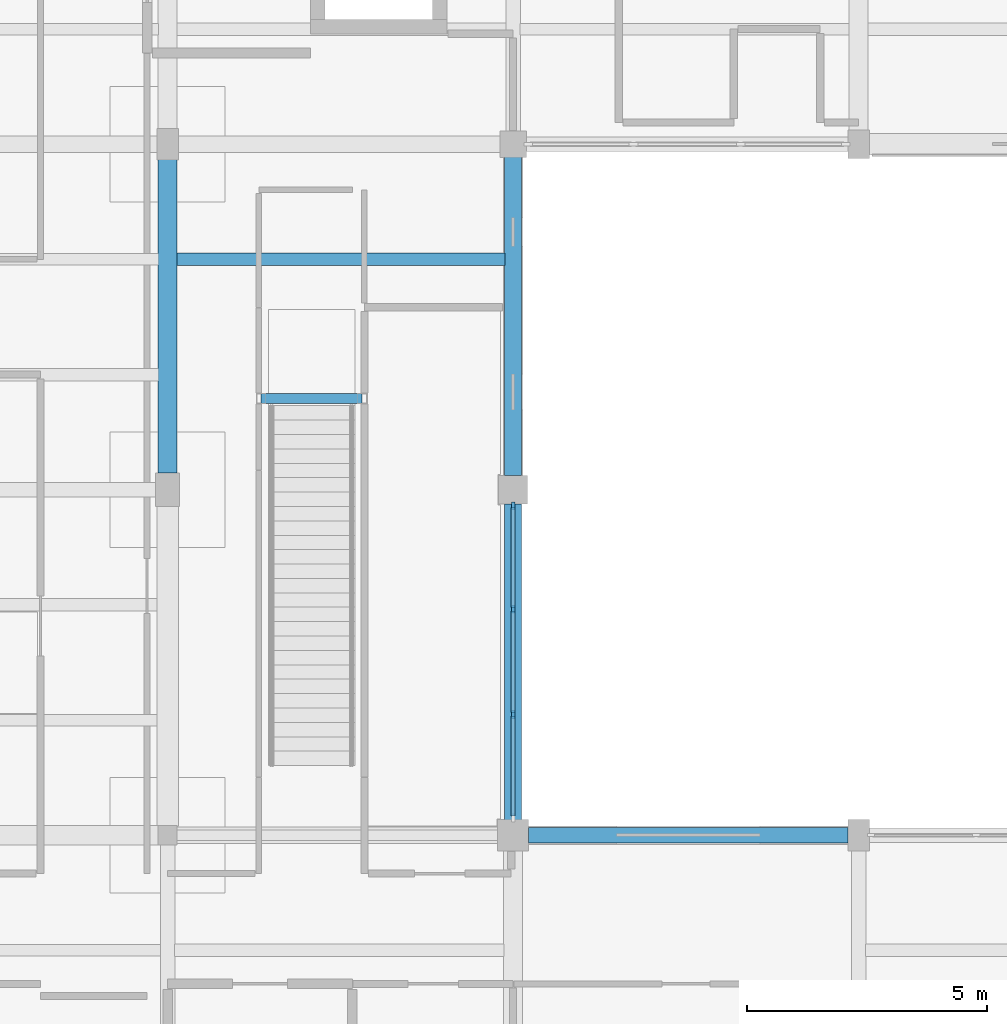
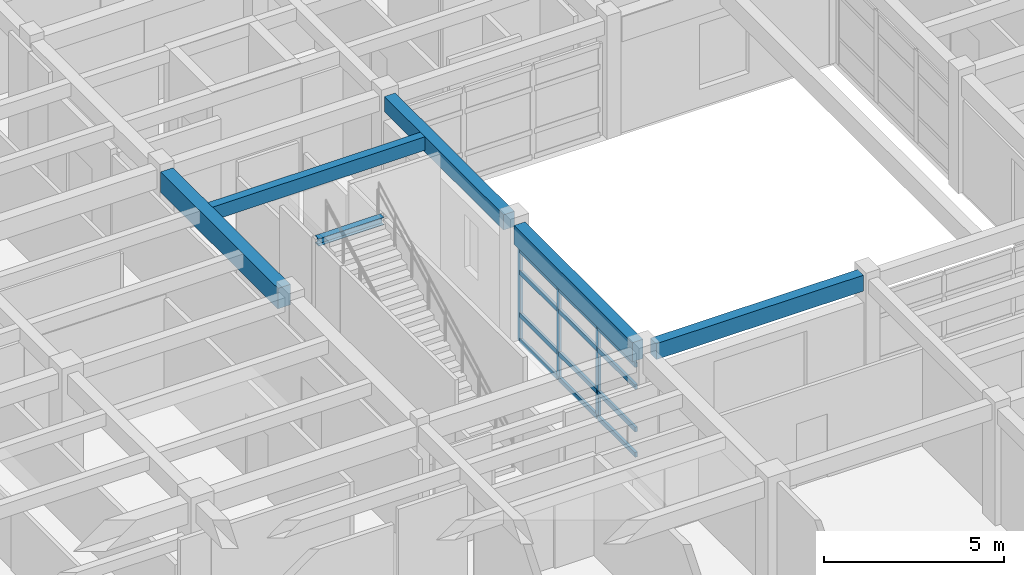
# One storey, part 36 of 110: 15 members, 6 beams, 1 element without a shape of its own.
"""IFC4 building model written with IfcOpenShell, lengths in metres."""

from ifc_helpers import new_model, si_unit, direction, frame, origin, origin_2d, place, context, subcontext, project, spatial, rectangle, i_section, extrude, material, material_profile, profile_set, type_object, element, aggregate, save


model = new_model("IFC4")

# Units and contexts
model_context = context("Model", 3, precision=1e-05, world=origin(), true_north=direction((0.0, 1.0)))
body_context = subcontext(model_context, "Body", "Model", "MODEL_VIEW")
ifc_project = project(units=[si_unit("LENGTHUNIT", "METRE"), si_unit("AREAUNIT", "SQUARE_METRE"), si_unit("VOLUMEUNIT", "CUBIC_METRE"), si_unit("PLANEANGLEUNIT", "RADIAN"), si_unit("MASSUNIT", "GRAM", prefix="KILO")], contexts=[model_context])

# Site, building, storey
site_placement = place(None, origin())
site = spatial("IfcSite", under=ifc_project, at=site_placement, CompositionType="ELEMENT")
building_placement = place(site_placement, origin())
building = spatial("IfcBuilding", under=site, at=building_placement, Name="Steenspoor Specialist Clinic", CompositionType="ELEMENT")
storey_placement = place(building_placement, frame((0.0, 0.0, 4.800048828125)))
storey = spatial("IfcBuildingStorey", under=building, at=storey_placement, Name="L01", CompositionType="ELEMENT", Elevation=4.800048828125)

# Beams
ifc_material_1 = material(Name="Concrete C35/45", Category="concrete")
ifc_material_profile_1 = material_profile(ifc_material_1, rectangle(XDim=0.35009765625, YDim=0.52001953125, at=origin_2d()), Name="RC-BM-350X520")
ifc_profile_set_1 = profile_set([ifc_material_profile_1], Name="Concrete C35/45")
beam_type_1 = type_object("IfcBeamType", Name="BM-RC-350X520", PredefinedType="BEAM", material=ifc_profile_set_1)
beam_1_placement = place(storey_placement, frame((95.60009765625, 87.044921875, 3.68994140625), z_axis=(0.0, 1.0, 0.0), x_axis=(-1.0, 0.0, 0.0)))
element("IfcBeam", 1, at=beam_1_placement, inside=storey, type_object=beam_type_1, Name="BM-V4-L01-Y0554", PredefinedType="BEAM", context=body_context, shape_type="SweptSolid", body=[
    extrude(rectangle(XDim=0.35009765625, YDim=0.52001953125, at=origin_2d()), origin(), (0.0, 0.0, 1.0), 6.635009765625),
])
ifc_material_profile_2 = material_profile(ifc_material_1, rectangle(XDim=0.35009765625, YDim=0.64990234375, at=origin_2d()), Name="RC-BM-350X650")
ifc_profile_set_2 = profile_set([ifc_material_profile_2], Name="Concrete C35/45")
beam_type_2 = type_object("IfcBeamType", Name="BM-RC-350X650", PredefinedType="BEAM", material=ifc_profile_set_2)
beam_2_placement = place(storey_placement, frame((95.60009765625, 79.8701171875, 3.625), z_axis=(0.0, 1.0, 0.0), x_axis=(-1.0, 0.0, 0.0)))
element("IfcBeam", 2, at=beam_2_placement, inside=storey, type_object=beam_type_2, Name="BM-V4-L01-Y0553", PredefinedType="BEAM", context=body_context, shape_type="SweptSolid", body=[
    extrude(rectangle(XDim=0.35009765625, YDim=0.64990234375, at=origin_2d()), origin(), (0.0, 0.0, 1.0), 6.5849609375),
])
ifc_material_profile_3 = material_profile(ifc_material_1, rectangle(XDim=0.39990234375, YDim=0.699951171875, at=origin_2d()), Name="RC-BM-400X700")
ifc_profile_set_3 = profile_set([ifc_material_profile_3], Name="Concrete C35/45")
beam_type_3 = type_object("IfcBeamType", Name="BM-RC-400X700", PredefinedType="BEAM", material=ifc_profile_set_3)
beam_3_placement = place(storey_placement, frame((88.39990234375, 87.094970703125, 3.599853515625), z_axis=(0.0, 1.0, 0.0), x_axis=(-1.0, 0.0, 0.0)))
element("IfcBeam", 3, at=beam_3_placement, inside=storey, type_object=beam_type_3, Name="BM-V4-L01-Y0549", PredefinedType="BEAM", context=body_context, shape_type="SweptSolid", body=[
    extrude(rectangle(XDim=0.39990234375, YDim=0.699951171875, at=origin_2d()), origin(), (0.0, 0.0, 1.0), 6.534912109375),
])
ifc_material_2 = material(Name="Steel A992 Grade 50", Category="steel")
ifc_material_profile_4 = material_profile(ifc_material_2, i_section(OverallWidth=0.202880859375, OverallDepth=0.251953125, WebThickness=0.008056640625, FlangeThickness=0.013427734375, at=origin_2d()), Name="W250X58")
ifc_profile_set_4 = profile_set([ifc_material_profile_4], Name="Steel A992 Grade 50")
beam_type_4 = type_object("IfcBeamType", Name="BM-ST-W250X58", PredefinedType="JOIST", material=ifc_profile_set_4)
beam_4_placement = place(storey_placement, frame((90.35009765625, 88.64990234375, 3.869873046875), z_axis=(1.0, 0.0, 0.0), x_axis=(0.0, 1.0, 0.0)))
element("IfcBeam", 4, at=beam_4_placement, inside=storey, type_object=beam_type_4, Name="Feature Stair Landing Bearer ST-F03", PredefinedType="JOIST", context=body_context, shape_type="SweptSolid", body=[
    extrude(i_section(OverallWidth=0.202880859375, OverallDepth=0.251953125, WebThickness=0.008056640625, FlangeThickness=0.013427734375, at=origin_2d()), origin(), (0.0, 0.0, 1.0), 2.099853515625),
])

# Curtain wall, members
ifc_material_3 = material(Name="Thermally broken aluminium and low-emissivity glass", Category="aluminium")
curtain_wall_type = type_object("IfcCurtainWallType", Name="CW-L00-240X415", PredefinedType="USERDEFINED", material=ifc_material_3)
curtain_wall_placement = place(storey_placement, origin())
curtain_wall = element("IfcCurtainWall", 5, at=curtain_wall_placement, inside=storey, type_object=curtain_wall_type, Name="Unitised Curtain Wall CW-V4-L01-080", ObjectType="UNITISED GLAZING", PredefinedType="USERDEFINED")
ifc_material_4 = material(Name="Thermally broken aluminium 6063-T6", Category="aluminium")
ifc_material_profile_5 = material_profile(ifc_material_4, rectangle(XDim=0.070068359375, YDim=0.1650390625, at=origin_2d()), Name="CWM-70X165")
ifc_profile_set_5 = profile_set([ifc_material_profile_5], Name="Thermally broken aluminium 6063-T6")
member_type_1 = type_object("IfcMemberType", Name="CW-MULL-70X165", PredefinedType="MULLION", material=ifc_profile_set_5)
member_1_placement = place(storey_placement, frame((95.60009765625, 86.4150390625, 0.0), z_axis=(0.0, 0.0, 1.0), x_axis=(1.0, 0.0, 0.0)))
member_1 = element("IfcMember", 6, at=member_1_placement, type_object=member_type_1, Name="CW-08 mullion 1", PredefinedType="MULLION", context=body_context, shape_type="SweptSolid", body=[
    extrude(rectangle(XDim=0.070068359375, YDim=0.1650390625, at=origin_2d()), origin(), (0.0, 0.0, 1.0), 3.1298828125),
])
member_2_placement = place(storey_placement, frame((95.60009765625, 84.25830078125, 0.0), z_axis=(0.0, 0.0, 1.0), x_axis=(1.0, 0.0, 0.0)))
member_2 = element("IfcMember", 7, at=member_2_placement, type_object=member_type_1, Name="CW-08 mullion 2", PredefinedType="MULLION", context=body_context, shape_type="SweptSolid", body=[
    extrude(rectangle(XDim=0.070068359375, YDim=0.1650390625, at=origin_2d()), origin(), (0.0, 0.0, 1.0), 3.1298828125),
])
member_3_placement = place(storey_placement, frame((95.60009765625, 82.066650390625, 0.0), z_axis=(0.0, 0.0, 1.0), x_axis=(1.0, 0.0, 0.0)))
member_3 = element("IfcMember", 8, at=member_3_placement, type_object=member_type_1, Name="CW-08 mullion 3", PredefinedType="MULLION", context=body_context, shape_type="SweptSolid", body=[
    extrude(rectangle(XDim=0.070068359375, YDim=0.1650390625, at=origin_2d()), origin(), (0.0, 0.0, 1.0), 3.1298828125),
])
ifc_material_profile_6 = material_profile(ifc_material_4, rectangle(XDim=0.080078125, YDim=0.159912109375, at=origin_2d()), Name="CWT-80X160")
ifc_profile_set_6 = profile_set([ifc_material_profile_6], Name="Thermally broken aluminium 6063-T6")
member_type_2 = type_object("IfcMemberType", Name="CW-TRAN-80X160", PredefinedType="USERDEFINED", material=ifc_profile_set_6)
member_4_placement = place(storey_placement, frame((95.60009765625, 86.3798828125, 0.0400390625), z_axis=(0.0, -1.0, 0.0), x_axis=(1.0, 0.0, 0.0)))
member_4 = element("IfcMember", 9, at=member_4_placement, type_object=member_type_2, Name="CW-08 transom 1.1", ObjectType="TRANSOM", PredefinedType="USERDEFINED", context=body_context, shape_type="SweptSolid", body=[
    extrude(rectangle(XDim=0.080078125, YDim=0.159912109375, at=origin_2d()), origin(), (0.0, 0.0, 1.0), 2.086669921875),
])
member_5_placement = place(storey_placement, frame((95.60009765625, 86.3798828125, 0.89990234375), z_axis=(0.0, -1.0, 0.0), x_axis=(1.0, 0.0, 0.0)))
member_5 = element("IfcMember", 10, at=member_5_placement, type_object=member_type_2, Name="CW-08 transom 1.2", ObjectType="TRANSOM", PredefinedType="USERDEFINED", context=body_context, shape_type="SweptSolid", body=[
    extrude(rectangle(XDim=0.080078125, YDim=0.159912109375, at=origin_2d()), origin(), (0.0, 0.0, 1.0), 2.086669921875),
])
member_6_placement = place(storey_placement, frame((95.60009765625, 86.3798828125, 2.349853515625), z_axis=(0.0, -1.0, 0.0), x_axis=(1.0, 0.0, 0.0)))
member_6 = element("IfcMember", 11, at=member_6_placement, type_object=member_type_2, Name="CW-08 transom 1.3", ObjectType="TRANSOM", PredefinedType="USERDEFINED", context=body_context, shape_type="SweptSolid", body=[
    extrude(rectangle(XDim=0.080078125, YDim=0.159912109375, at=origin_2d()), origin(), (0.0, 0.0, 1.0), 2.086669921875),
])
member_7_placement = place(storey_placement, frame((95.60009765625, 86.3798828125, 3.08984375), z_axis=(0.0, -1.0, 0.0), x_axis=(1.0, 0.0, 0.0)))
member_7 = element("IfcMember", 12, at=member_7_placement, type_object=member_type_2, Name="CW-08 transom 1.4", ObjectType="TRANSOM", PredefinedType="USERDEFINED", context=body_context, shape_type="SweptSolid", body=[
    extrude(rectangle(XDim=0.080078125, YDim=0.159912109375, at=origin_2d()), origin(), (0.0, 0.0, 1.0), 2.086669921875),
])
member_8_placement = place(storey_placement, frame((95.60009765625, 84.223388671875, 0.0400390625), z_axis=(0.0, -1.0, 0.0), x_axis=(1.0, 0.0, 0.0)))
member_8 = element("IfcMember", 13, at=member_8_placement, type_object=member_type_2, Name="CW-08 transom 2.1", ObjectType="TRANSOM", PredefinedType="USERDEFINED", context=body_context, shape_type="SweptSolid", body=[
    extrude(rectangle(XDim=0.080078125, YDim=0.159912109375, at=origin_2d()), origin(), (0.0, 0.0, 1.0), 2.121826171875),
])
member_9_placement = place(storey_placement, frame((95.60009765625, 84.223388671875, 0.89990234375), z_axis=(0.0, -1.0, 0.0), x_axis=(1.0, 0.0, 0.0)))
member_9 = element("IfcMember", 14, at=member_9_placement, type_object=member_type_2, Name="CW-08 transom 2.2", ObjectType="TRANSOM", PredefinedType="USERDEFINED", context=body_context, shape_type="SweptSolid", body=[
    extrude(rectangle(XDim=0.080078125, YDim=0.159912109375, at=origin_2d()), origin(), (0.0, 0.0, 1.0), 2.121826171875),
])
member_10_placement = place(storey_placement, frame((95.60009765625, 84.223388671875, 2.349853515625), z_axis=(0.0, -1.0, 0.0), x_axis=(1.0, 0.0, 0.0)))
member_10 = element("IfcMember", 15, at=member_10_placement, type_object=member_type_2, Name="CW-08 transom 2.3", ObjectType="TRANSOM", PredefinedType="USERDEFINED", context=body_context, shape_type="SweptSolid", body=[
    extrude(rectangle(XDim=0.080078125, YDim=0.159912109375, at=origin_2d()), origin(), (0.0, 0.0, 1.0), 2.121826171875),
])
member_11_placement = place(storey_placement, frame((95.60009765625, 84.223388671875, 3.08984375), z_axis=(0.0, -1.0, 0.0), x_axis=(1.0, 0.0, 0.0)))
member_11 = element("IfcMember", 16, at=member_11_placement, type_object=member_type_2, Name="CW-08 transom 2.4", ObjectType="TRANSOM", PredefinedType="USERDEFINED", context=body_context, shape_type="SweptSolid", body=[
    extrude(rectangle(XDim=0.080078125, YDim=0.159912109375, at=origin_2d()), origin(), (0.0, 0.0, 1.0), 2.121826171875),
])
member_12_placement = place(storey_placement, frame((95.60009765625, 82.03173828125, 0.0400390625), z_axis=(0.0, -1.0, 0.0), x_axis=(1.0, 0.0, 0.0)))
member_12 = element("IfcMember", 17, at=member_12_placement, type_object=member_type_2, Name="CW-08 transom 3.1", ObjectType="TRANSOM", PredefinedType="USERDEFINED", context=body_context, shape_type="SweptSolid", body=[
    extrude(rectangle(XDim=0.080078125, YDim=0.159912109375, at=origin_2d()), origin(), (0.0, 0.0, 1.0), 2.086669921875),
])
member_13_placement = place(storey_placement, frame((95.60009765625, 82.03173828125, 0.89990234375), z_axis=(0.0, -1.0, 0.0), x_axis=(1.0, 0.0, 0.0)))
member_13 = element("IfcMember", 18, at=member_13_placement, type_object=member_type_2, Name="CW-08 transom 3.2", ObjectType="TRANSOM", PredefinedType="USERDEFINED", context=body_context, shape_type="SweptSolid", body=[
    extrude(rectangle(XDim=0.080078125, YDim=0.159912109375, at=origin_2d()), origin(), (0.0, 0.0, 1.0), 2.086669921875),
])
member_14_placement = place(storey_placement, frame((95.60009765625, 82.03173828125, 2.349853515625), z_axis=(0.0, -1.0, 0.0), x_axis=(1.0, 0.0, 0.0)))
member_14 = element("IfcMember", 19, at=member_14_placement, type_object=member_type_2, Name="CW-08 transom 3.3", ObjectType="TRANSOM", PredefinedType="USERDEFINED", context=body_context, shape_type="SweptSolid", body=[
    extrude(rectangle(XDim=0.080078125, YDim=0.159912109375, at=origin_2d()), origin(), (0.0, 0.0, 1.0), 2.086669921875),
])
member_15_placement = place(storey_placement, frame((95.60009765625, 82.03173828125, 3.08984375), z_axis=(0.0, -1.0, 0.0), x_axis=(1.0, 0.0, 0.0)))
member_15 = element("IfcMember", 20, at=member_15_placement, type_object=member_type_2, Name="CW-08 transom 3.4", ObjectType="TRANSOM", PredefinedType="USERDEFINED", context=body_context, shape_type="SweptSolid", body=[
    extrude(rectangle(XDim=0.080078125, YDim=0.159912109375, at=origin_2d()), origin(), (0.0, 0.0, 1.0), 2.086669921875),
])
aggregate(curtain_wall, [member_1, member_2, member_3, member_4, member_5, member_6, member_7, member_8, member_9, member_10, member_11, member_12, member_13, member_14, member_15])

# Beams
ifc_material_profile_7 = material_profile(ifc_material_1, rectangle(XDim=0.260009765625, YDim=0.4599609375, at=origin_2d()), Name="RC-JT-260X460")
ifc_profile_set_7 = profile_set([ifc_material_profile_7], Name="Concrete C35/45")
beam_type_5 = type_object("IfcBeamType", Name="JT-RC-260X460", PredefinedType="JOIST", material=ifc_profile_set_7)
beam_5_placement = place(storey_placement, frame((88.594970703125, 91.550048828125, 3.719970703125), z_axis=(1.0, 0.0, 0.0), x_axis=(0.0, 1.0, 0.0)))
element("IfcBeam", 21, at=beam_5_placement, inside=storey, type_object=beam_type_5, Name="JT-V4-L01-0614", PredefinedType="JOIST", context=body_context, shape_type="SweptSolid", body=[
    extrude(rectangle(XDim=0.260009765625, YDim=0.4599609375, at=origin_2d()), origin(), (0.0, 0.0, 1.0), 6.8349609375),
])
ifc_material_profile_8 = material_profile(ifc_material_1, rectangle(XDim=0.320068359375, YDim=0.5400390625, at=origin_2d()), Name="RC-SP-320X540")
ifc_profile_set_8 = profile_set([ifc_material_profile_8], Name="Concrete C35/45")
beam_type_6 = type_object("IfcBeamType", Name="SP-RC-320X540", PredefinedType="SPANDREL", material=ifc_profile_set_8)
beam_6_placement = place(storey_placement, frame((95.919921875, 79.550048828125, 3.764892578125), z_axis=(1.0, 0.0, 0.0), x_axis=(0.0, 1.0, 0.0)))
element("IfcBeam", 22, at=beam_6_placement, inside=storey, type_object=beam_type_6, Name="BMTIER-V4-L01-X06-02", PredefinedType="SPANDREL", context=body_context, shape_type="SweptSolid", body=[
    extrude(rectangle(XDim=0.320068359375, YDim=0.5400390625, at=origin_2d()), origin(), (0.0, 0.0, 1.0), 6.66015625),
])

save(model, "model.ifc")
